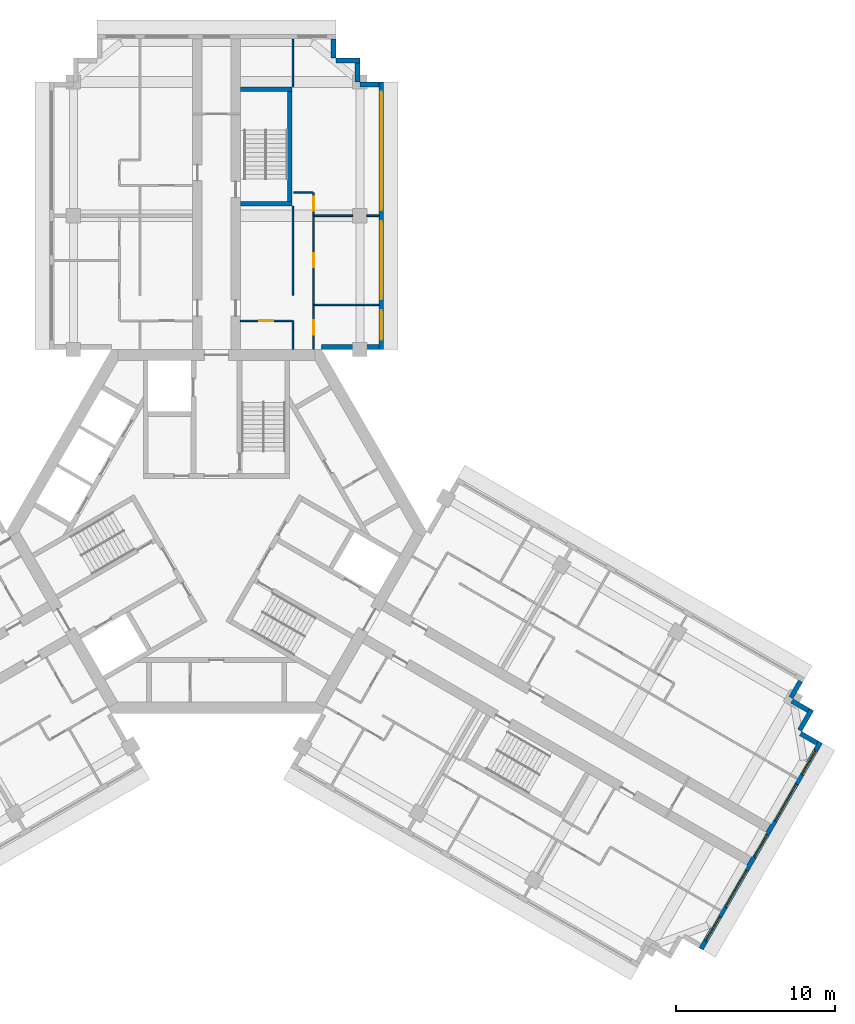
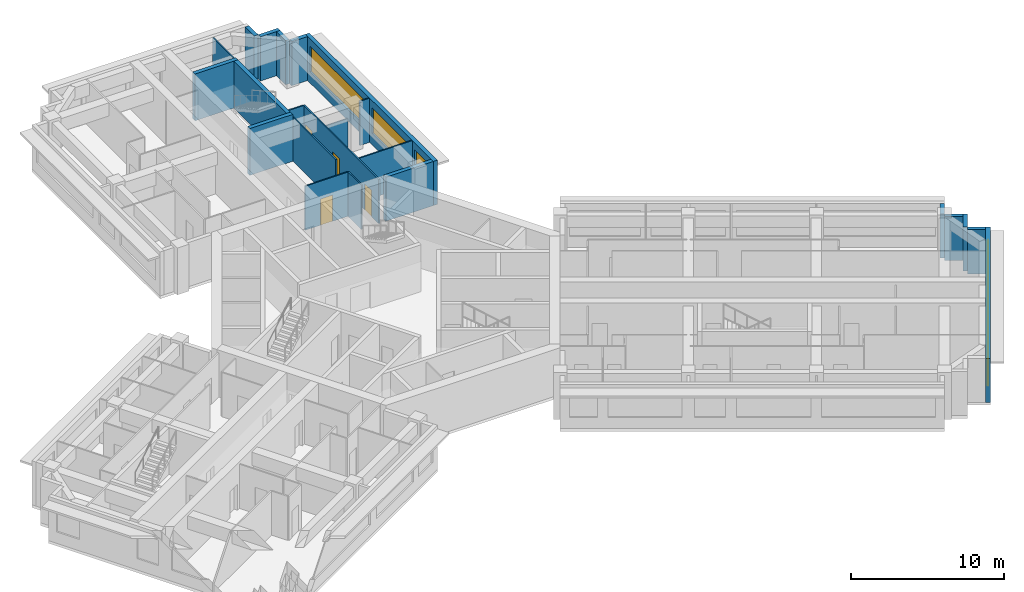
# One storey, part 8 of 10: 23 walls, 8 windows, 4 doors, 12 openings.
"""IFC4 building model written with IfcOpenShell, lengths in metres."""

from ifc_helpers import new_model, si_unit, direction, frame, frame_2d, origin, place, context, subcontext, project, spatial, rectangle, extrude, material, layer, layer_set, type_object, element, fill, save


model = new_model("IFC4")

# Units and contexts
model_context = context("Model", 3, precision=1e-05, world=origin(), true_north=direction((0.0, 1.0)))
body_context = subcontext(model_context, "Body", "Model", "MODEL_VIEW")
ifc_project = project(units=[si_unit("LENGTHUNIT", "METRE"), si_unit("AREAUNIT", "SQUARE_METRE"), si_unit("VOLUMEUNIT", "CUBIC_METRE"), si_unit("PLANEANGLEUNIT", "RADIAN"), si_unit("MASSUNIT", "GRAM", prefix="KILO")], contexts=[model_context])

# Site, building, storey
site_placement = place(None, origin())
site = spatial("IfcSite", under=ifc_project, at=site_placement, CompositionType="ELEMENT")
building_placement = place(site_placement, origin())
building = spatial("IfcBuilding", under=site, at=building_placement, Name="Impinga Residences", CompositionType="ELEMENT")
storey_placement = place(building_placement, frame((0.0, 0.0, 222.25)))
storey = spatial("IfcBuildingStorey", under=building, at=storey_placement, Name="L55", CompositionType="ELEMENT", Elevation=222.25)

# Walls
ifc_material_1 = material(Name="Terracotta rainscreen on blockwork", Category="masonry")
ifc_layer_1 = layer(ifc_material_1, 0.300048828125)
ifc_layer_set_1 = layer_set([ifc_layer_1], Name="EW1 external wall, terracotta rainscreen on blockwork 300")
wall_type_1 = type_object("IfcWallType", Name="EW1 external wall, terracotta rainscreen on blockwork 300", PredefinedType="SOLIDWALL", material=ifc_layer_set_1)
wall_1_placement = place(storey_placement, frame((36.69384765625, -9.4072265625, 0.0), z_axis=(0.0, 0.0, 1.0), x_axis=(-0.499880961361, -0.866094119867, 0.0)))
element("IfcWall", 1, at=wall_1_placement, inside=storey, type_object=wall_type_1, Name="External wall EW1 L55", PredefinedType="SOLIDWALL", context=body_context, shape_type="SweptSolid", body=[
    extrude(rectangle(XDim=1.199951171875, YDim=0.300048828125, at=frame_2d((0.60009765625, 0.0))), origin(), (0.0, 0.0, 1.0), 3.530029296875),
])
wall_2_placement = place(storey_placement, frame((36.153076171875, -10.654052734375, 0.0), z_axis=(0.0, 0.0, 1.0), x_axis=(0.866059708757, -0.499940577336, 0.0)))
element("IfcWall", 2, at=wall_2_placement, inside=storey, type_object=wall_type_1, Name="External wall EW1 L55", PredefinedType="SOLIDWALL", context=body_context, shape_type="SweptSolid", body=[
    extrude(rectangle(XDim=1.195068359375, YDim=0.300048828125, at=frame_2d((0.59765625, 0.0))), origin(), (0.0, 0.0, 1.0), 3.530029296875),
])
wall_3_placement = place(storey_placement, frame((37.39306640625, -11.196533203125, 0.0), z_axis=(0.0, 0.0, 1.0), x_axis=(-0.499990139034, -0.866031096941, 0.0)))
element("IfcWall", 3, at=wall_3_placement, inside=storey, type_object=wall_type_1, Name="External wall EW1 L55", PredefinedType="SOLIDWALL", context=body_context, shape_type="SweptSolid", body=[
    extrude(rectangle(XDim=1.5, YDim=0.300048828125, at=frame_2d((0.75, 0.0))), origin(), (0.0, 0.0, 1.0), 3.530029296875),
])
wall_4_placement = place(storey_placement, frame((36.7021484375, -12.702880859375, 0.0), z_axis=(0.0, 0.0, 1.0), x_axis=(0.865971243484, -0.500093796661, 0.0)))
element("IfcWall", 4, at=wall_4_placement, inside=storey, type_object=wall_type_1, Name="External wall EW1 L55", PredefinedType="SOLIDWALL", context=body_context, shape_type="SweptSolid", body=[
    extrude(rectangle(XDim=1.195068359375, YDim=0.300048828125, at=frame_2d((0.59765625, 0.0))), origin(), (0.0, 0.0, 1.0), 3.530029296875),
])

# Wall, openings, windows
wall_5_placement = place(storey_placement, frame((37.94189453125, -13.24560546875, 0.0), z_axis=(0.0, 0.0, 1.0), x_axis=(-0.500004234368, -0.866022959057, 0.0)))
wall_5 = element("IfcWall", 5, at=wall_5_placement, inside=storey, type_object=wall_type_1, Name="External wall EW1 L55", PredefinedType="SOLIDWALL", context=body_context, shape_type="SweptSolid", body=[
    extrude(rectangle(XDim=14.999755859375, YDim=0.300048828125, at=frame_2d((7.5, 0.0))), origin(), (0.0, 0.0, 1.0), 3.530029296875),
])
opening_1_placement = place(wall_5_placement, frame((0.60009765625, 0.0, 0.89990234375)))
opening_1 = element("IfcOpeningElement", 6, at=opening_1_placement, cuts=wall_5, Name="Opening W1", PredefinedType="OPENING", context=body_context, shape_type="SweptSolid", body=[
    extrude(rectangle(XDim=1.75, YDim=2.050048828125, at=frame_2d((0.875, 1.02490234375))), frame((0.0, 0.159912109375, 0.0), z_axis=(0.0, -1.0, 0.0), x_axis=(1.0, 0.0, 0.0)), (0.0, 0.0, 1.0), 0.320068359375),
])
opening_2_placement = place(wall_5_placement, frame((3.050048828125, 0.0, 0.89990234375)))
opening_2 = element("IfcOpeningElement", 7, at=opening_2_placement, cuts=wall_5, Name="Opening W18", PredefinedType="OPENING", context=body_context, shape_type="SweptSolid", body=[
    extrude(rectangle(XDim=2.64990234375, YDim=2.050048828125, at=frame_2d((1.324951171875, 1.02490234375))), frame((0.0, 0.159912109375, 0.0), z_axis=(0.0, -1.0, 0.0), x_axis=(1.0, 0.0, 0.0)), (0.0, 0.0, 1.0), 0.320068359375),
])
opening_3_placement = place(wall_5_placement, frame((6.699951171875, 0.0, 0.89990234375)))
opening_3 = element("IfcOpeningElement", 8, at=opening_3_placement, cuts=wall_5, Name="Opening W19", PredefinedType="OPENING", context=body_context, shape_type="SweptSolid", body=[
    extrude(rectangle(XDim=1.60009765625, YDim=2.050048828125, at=frame_2d((0.800048828125, 1.02490234375))), frame((0.0, 0.159912109375, 0.0), z_axis=(0.0, -1.0, 0.0), x_axis=(1.0, 0.0, 0.0)), (0.0, 0.0, 1.0), 0.320068359375),
])
opening_4_placement = place(wall_5_placement, frame((9.300048828125, 0.0, 0.89990234375)))
opening_4 = element("IfcOpeningElement", 9, at=opening_4_placement, cuts=wall_5, Name="Opening W18", PredefinedType="OPENING", context=body_context, shape_type="SweptSolid", body=[
    extrude(rectangle(XDim=2.64990234375, YDim=2.050048828125, at=frame_2d((1.324951171875, 1.02490234375))), frame((0.0, 0.159912109375, 0.0), z_axis=(0.0, -1.0, 0.0), x_axis=(1.0, 0.0, 0.0)), (0.0, 0.0, 1.0), 0.320068359375),
])
opening_5_placement = place(wall_5_placement, frame((12.64990234375, 0.0, 0.89990234375)))
opening_5 = element("IfcOpeningElement", 10, at=opening_5_placement, cuts=wall_5, Name="Opening W1", PredefinedType="OPENING", context=body_context, shape_type="SweptSolid", body=[
    extrude(rectangle(XDim=1.75, YDim=2.050048828125, at=frame_2d((0.875, 1.02490234375))), frame((0.0, 0.159912109375, 0.0), z_axis=(0.0, -1.0, 0.0), x_axis=(1.0, 0.0, 0.0)), (0.0, 0.0, 1.0), 0.320068359375),
])
ifc_material_2 = material(Name="Aluminium window, clear double glazing", Category="aluminium")
window_type_1 = type_object("IfcWindowType", Name="W1 ribbon window 1750x2050", PartitioningType="SINGLE_PANEL", PredefinedType="WINDOW", material=ifc_material_2)
window_1_placement = place(opening_1_placement, origin())
window_1 = element("IfcWindow", 11, at=window_1_placement, inside=storey, type_object=window_type_1, Name="Window L55", OverallHeight=2.050048828125, OverallWidth=1.75, PartitioningType="SINGLE_PANEL", PredefinedType="WINDOW", context=body_context, shape_type="SweptSolid", body=[
    extrude(rectangle(XDim=1.75, YDim=2.050048828125, at=frame_2d((0.875, 1.02490234375))), frame((0.0, 0.030029296875, 0.0), z_axis=(0.0, -1.0, 0.0), x_axis=(1.0, 0.0, 0.0)), (0.0, 0.0, 1.0), 0.06005859375),
])
fill(opening_1, window_1)
window_2_placement = place(opening_5_placement, origin())
window_2 = element("IfcWindow", 12, at=window_2_placement, inside=storey, type_object=window_type_1, Name="Window L55", OverallHeight=2.050048828125, OverallWidth=1.75, PartitioningType="SINGLE_PANEL", PredefinedType="WINDOW", context=body_context, shape_type="SweptSolid", body=[
    extrude(rectangle(XDim=1.75, YDim=2.050048828125, at=frame_2d((0.875, 1.02490234375))), frame((0.0, 0.030029296875, 0.0), z_axis=(0.0, -1.0, 0.0), x_axis=(1.0, 0.0, 0.0)), (0.0, 0.0, 1.0), 0.06005859375),
])
fill(opening_5, window_2)
window_type_2 = type_object("IfcWindowType", Name="W18 ribbon window 2650x2050", PartitioningType="SINGLE_PANEL", PredefinedType="WINDOW", material=ifc_material_2)
window_3_placement = place(opening_2_placement, origin())
window_3 = element("IfcWindow", 13, at=window_3_placement, inside=storey, type_object=window_type_2, Name="Window L55", OverallHeight=2.050048828125, OverallWidth=2.64990234375, PartitioningType="SINGLE_PANEL", PredefinedType="WINDOW", context=body_context, shape_type="SweptSolid", body=[
    extrude(rectangle(XDim=2.64990234375, YDim=2.050048828125, at=frame_2d((1.324951171875, 1.02490234375))), frame((0.0, 0.030029296875, 0.0), z_axis=(0.0, -1.0, 0.0), x_axis=(1.0, 0.0, 0.0)), (0.0, 0.0, 1.0), 0.06005859375),
])
fill(opening_2, window_3)
window_4_placement = place(opening_4_placement, origin())
window_4 = element("IfcWindow", 14, at=window_4_placement, inside=storey, type_object=window_type_2, Name="Window L55", OverallHeight=2.050048828125, OverallWidth=2.64990234375, PartitioningType="SINGLE_PANEL", PredefinedType="WINDOW", context=body_context, shape_type="SweptSolid", body=[
    extrude(rectangle(XDim=2.64990234375, YDim=2.050048828125, at=frame_2d((1.324951171875, 1.02490234375))), frame((0.0, 0.030029296875, 0.0), z_axis=(0.0, -1.0, 0.0), x_axis=(1.0, 0.0, 0.0)), (0.0, 0.0, 1.0), 0.06005859375),
])
fill(opening_4, window_4)
window_type_3 = type_object("IfcWindowType", Name="W19 ribbon window 1600x2050", PartitioningType="SINGLE_PANEL", PredefinedType="WINDOW", material=ifc_material_2)
window_5_placement = place(opening_3_placement, origin())
window_5 = element("IfcWindow", 15, at=window_5_placement, inside=storey, type_object=window_type_3, Name="Window L55", OverallHeight=2.050048828125, OverallWidth=1.60009765625, PartitioningType="SINGLE_PANEL", PredefinedType="WINDOW", context=body_context, shape_type="SweptSolid", body=[
    extrude(rectangle(XDim=1.60009765625, YDim=2.050048828125, at=frame_2d((0.800048828125, 1.02490234375))), frame((0.0, 0.030029296875, 0.0), z_axis=(0.0, -1.0, 0.0), x_axis=(1.0, 0.0, 0.0)), (0.0, 0.0, 1.0), 0.06005859375),
])
fill(opening_3, window_5)

# Walls
wall_6_placement = place(storey_placement, frame((7.35009765625, 30.931640625, 0.0), z_axis=(0.0, 0.0, 1.0), x_axis=(0.0, -1.0, 0.0)))
element("IfcWall", 16, at=wall_6_placement, inside=storey, type_object=wall_type_1, Name="External wall EW1 L55", PredefinedType="SOLIDWALL", context=body_context, shape_type="SweptSolid", body=[
    extrude(rectangle(XDim=1.195068359375, YDim=0.300048828125, at=frame_2d((0.59765625, 0.0))), origin(), (0.0, 0.0, 1.0), 3.530029296875),
])
wall_7_placement = place(storey_placement, frame((7.5, 29.58154296875, 0.0), z_axis=(0.0, 0.0, 1.0), x_axis=(1.0, 0.0, 0.0)))
element("IfcWall", 17, at=wall_7_placement, inside=storey, type_object=wall_type_1, Name="External wall EW1 L55", PredefinedType="SOLIDWALL", context=body_context, shape_type="SweptSolid", body=[
    extrude(rectangle(XDim=1.5, YDim=0.300048828125, at=frame_2d((0.75, 0.0))), origin(), (0.0, 0.0, 1.0), 3.530029296875),
])
wall_8_placement = place(storey_placement, frame((8.85009765625, 29.431640625, 0.0), z_axis=(0.0, 0.0, 1.0), x_axis=(0.0, -1.0, 0.0)))
element("IfcWall", 18, at=wall_8_placement, inside=storey, type_object=wall_type_1, Name="External wall EW1 L55", PredefinedType="SOLIDWALL", context=body_context, shape_type="SweptSolid", body=[
    extrude(rectangle(XDim=1.2001953125, YDim=0.300048828125, at=frame_2d((0.60009765625, 0.0))), origin(), (0.0, 0.0, 1.0), 3.530029296875),
])
wall_9_placement = place(storey_placement, frame((9.0048828125, 28.08154296875, 0.0), z_axis=(0.0, 0.0, 1.0), x_axis=(1.0, 0.0, 0.0)))
element("IfcWall", 19, at=wall_9_placement, inside=storey, type_object=wall_type_1, Name="External wall EW1 L55", PredefinedType="SOLIDWALL", context=body_context, shape_type="SweptSolid", body=[
    extrude(rectangle(XDim=1.195068359375, YDim=0.300048828125, at=frame_2d((0.59765625, 0.0))), origin(), (0.0, 0.0, 1.0), 3.530029296875),
])

# Wall, openings, windows
wall_10_placement = place(storey_placement, frame((10.35009765625, 28.2314453125, 0.0), z_axis=(0.0, 0.0, 1.0), x_axis=(0.0, -1.0, 0.0)))
wall_10 = element("IfcWall", 20, at=wall_10_placement, inside=storey, type_object=wall_type_1, Name="External wall EW1 L55", PredefinedType="SOLIDWALL", context=body_context, shape_type="SweptSolid", body=[
    extrude(rectangle(XDim=16.7998046875, YDim=0.300048828125, at=frame_2d((8.39990234375, 0.0))), origin(), (0.0, 0.0, 1.0), 3.530029296875),
])
opening_6_placement = place(wall_10_placement, frame((0.60009765625, 0.0, 0.89990234375)))
opening_6 = element("IfcOpeningElement", 21, at=opening_6_placement, cuts=wall_10, Name="Opening W7", PredefinedType="OPENING", context=body_context, shape_type="SweptSolid", body=[
    extrude(rectangle(XDim=7.449951171875, YDim=2.050048828125, at=frame_2d((3.72509765625, 1.02490234375))), frame((0.0, 0.159912109375, 0.0), z_axis=(0.0, -1.0, 0.0), x_axis=(1.0, 0.0, 0.0)), (0.0, 0.0, 1.0), 0.320068359375),
])
opening_7_placement = place(wall_10_placement, frame((8.75, 0.0, 0.89990234375)))
opening_7 = element("IfcOpeningElement", 22, at=opening_7_placement, cuts=wall_10, Name="Opening W16", PredefinedType="OPENING", context=body_context, shape_type="SweptSolid", body=[
    extrude(rectangle(XDim=4.89990234375, YDim=2.050048828125, at=frame_2d((2.449951171875, 1.02490234375))), frame((0.0, 0.159912109375, 0.0), z_axis=(0.0, -1.0, 0.0), x_axis=(1.0, 0.0, 0.0)), (0.0, 0.0, 1.0), 0.320068359375),
])
opening_8_placement = place(wall_10_placement, frame((14.35009765625, 0.0, 0.89990234375)))
opening_8 = element("IfcOpeningElement", 23, at=opening_8_placement, cuts=wall_10, Name="Opening W15", PredefinedType="OPENING", context=body_context, shape_type="SweptSolid", body=[
    extrude(rectangle(XDim=1.85009765625, YDim=2.050048828125, at=frame_2d((0.925048828125, 1.02490234375))), frame((0.0, 0.159912109375, 0.0), z_axis=(0.0, -1.0, 0.0), x_axis=(1.0, 0.0, 0.0)), (0.0, 0.0, 1.0), 0.320068359375),
])
window_type_4 = type_object("IfcWindowType", Name="W15 ribbon window 1850x2050", PartitioningType="SINGLE_PANEL", PredefinedType="WINDOW", material=ifc_material_2)
window_6_placement = place(opening_8_placement, origin())
window_6 = element("IfcWindow", 24, at=window_6_placement, inside=storey, type_object=window_type_4, Name="Window L55", OverallHeight=2.050048828125, OverallWidth=1.85009765625, PartitioningType="SINGLE_PANEL", PredefinedType="WINDOW", context=body_context, shape_type="SweptSolid", body=[
    extrude(rectangle(XDim=1.85009765625, YDim=2.050048828125, at=frame_2d((0.925048828125, 1.02490234375))), frame((0.0, 0.030029296875, 0.0), z_axis=(0.0, -1.0, 0.0), x_axis=(1.0, 0.0, 0.0)), (0.0, 0.0, 1.0), 0.06005859375),
])
fill(opening_8, window_6)
window_type_5 = type_object("IfcWindowType", Name="W16 ribbon window 4900x2050", PartitioningType="SINGLE_PANEL", PredefinedType="WINDOW", material=ifc_material_2)
window_7_placement = place(opening_7_placement, origin())
window_7 = element("IfcWindow", 25, at=window_7_placement, inside=storey, type_object=window_type_5, Name="Window L55", OverallHeight=2.050048828125, OverallWidth=4.89990234375, PartitioningType="SINGLE_PANEL", PredefinedType="WINDOW", context=body_context, shape_type="SweptSolid", body=[
    extrude(rectangle(XDim=4.89990234375, YDim=2.050048828125, at=frame_2d((2.449951171875, 1.02490234375))), frame((0.0, 0.030029296875, 0.0), z_axis=(0.0, -1.0, 0.0), x_axis=(1.0, 0.0, 0.0)), (0.0, 0.0, 1.0), 0.06005859375),
])
fill(opening_7, window_7)
window_type_6 = type_object("IfcWindowType", Name="W7 ribbon window 7450x2050", PartitioningType="SINGLE_PANEL", PredefinedType="WINDOW", material=ifc_material_2)
window_8_placement = place(opening_6_placement, origin())
window_8 = element("IfcWindow", 26, at=window_8_placement, inside=storey, type_object=window_type_6, Name="Window L55", OverallHeight=2.050048828125, OverallWidth=7.449951171875, PartitioningType="SINGLE_PANEL", PredefinedType="WINDOW", context=body_context, shape_type="SweptSolid", body=[
    extrude(rectangle(XDim=7.449951171875, YDim=2.050048828125, at=frame_2d((3.72509765625, 1.02490234375))), frame((0.0, 0.030029296875, 0.0), z_axis=(0.0, -1.0, 0.0), x_axis=(1.0, 0.0, 0.0)), (0.0, 0.0, 1.0), 0.06005859375),
])
fill(opening_6, window_8)

# Walls
wall_11_placement = place(storey_placement, frame((10.199951171875, 11.58154296875, 0.0), z_axis=(0.0, 0.0, 1.0), x_axis=(-1.0, 0.0, 0.0)))
element("IfcWall", 27, at=wall_11_placement, inside=storey, type_object=wall_type_1, Name="External wall EW1 L55", PredefinedType="SOLIDWALL", context=body_context, shape_type="SweptSolid", body=[
    extrude(rectangle(XDim=3.599853515625, YDim=0.300048828125, at=frame_2d((1.7998046875, 0.0))), origin(), (0.0, 0.0, 1.0), 3.530029296875),
])
ifc_material_3 = material(Name="Gypsum board on steel studs", Category="steel")
ifc_layer_2 = layer(ifc_material_3, 0.10009765625)
ifc_layer_set_2 = layer_set([ifc_layer_2], Name="Gypsum board on steel studs")
wall_type_2 = type_object("IfcWallType", Name="IP1 partition 100", PredefinedType="PARTITIONING", material=ifc_layer_set_2)
wall_12_placement = place(storey_placement, frame((4.800048828125, 11.431640625, 0.0), z_axis=(0.0, 0.0, 1.0), x_axis=(0.0, 1.0, 0.0)))
element("IfcWall", 28, at=wall_12_placement, inside=storey, type_object=wall_type_2, Name="Partition L55-NF1:DIV0", PredefinedType="PARTITIONING", context=body_context, shape_type="SweptSolid", body=[
    extrude(rectangle(XDim=1.7998046875, YDim=0.10009765625, at=frame_2d((0.89990234375, 0.0))), origin(), (0.0, 0.0, 1.0), 3.530029296875),
])
wall_13_placement = place(storey_placement, frame((4.800048828125, 14.83154296875, 0.0), z_axis=(0.0, 0.0, 1.0), x_axis=(0.0, 1.0, 0.0)))
element("IfcWall", 29, at=wall_13_placement, inside=storey, type_object=wall_type_2, Name="Partition L55-NF1:DIV1", PredefinedType="PARTITIONING", context=body_context, shape_type="SweptSolid", body=[
    extrude(rectangle(XDim=5.60009765625, YDim=0.10009765625, at=frame_2d((2.800048828125, 0.0))), origin(), (0.0, 0.0, 1.0), 3.530029296875),
])
wall_14_placement = place(storey_placement, frame((4.800048828125, 27.931640625, 0.0), z_axis=(0.0, 0.0, 1.0), x_axis=(0.0, 1.0, 0.0)))
element("IfcWall", 30, at=wall_14_placement, inside=storey, type_object=wall_type_2, Name="Partition L55-NF1:DIV2", PredefinedType="PARTITIONING", context=body_context, shape_type="SweptSolid", body=[
    extrude(rectangle(XDim=3.0, YDim=0.10009765625, at=frame_2d((1.5, 0.0))), origin(), (0.0, 0.0, 1.0), 3.530029296875),
])

# Wall, openings, doors
wall_15_placement = place(storey_placement, frame((6.10009765625, 11.431640625, 0.0), z_axis=(0.0, 0.0, 1.0), x_axis=(0.0, 1.0, 0.0)))
wall_15 = element("IfcWall", 31, at=wall_15_placement, inside=storey, type_object=wall_type_2, Name="Partition L55-NF1:STRIP", PredefinedType="PARTITIONING", context=body_context, shape_type="SweptSolid", body=[
    extrude(rectangle(XDim=9.849853515625, YDim=0.10009765625, at=frame_2d((4.9248046875, 0.0))), origin(), (0.0, 0.0, 1.0), 3.530029296875),
])
opening_9_placement = place(wall_15_placement, frame((0.925048828125, 0.0, 0.0)))
opening_9 = element("IfcOpeningElement", 32, at=opening_9_placement, cuts=wall_15, Name="Opening D2", PredefinedType="OPENING", context=body_context, shape_type="SweptSolid", body=[
    extrude(rectangle(XDim=0.89990234375, YDim=2.10009765625, at=frame_2d((0.449951171875, 1.050048828125))), frame((0.0, 0.06005859375, 0.0), z_axis=(0.0, -1.0, 0.0), x_axis=(1.0, 0.0, 0.0)), (0.0, 0.0, 1.0), 0.1201171875),
])
opening_10_placement = place(wall_15_placement, frame((5.14990234375, 0.0, 0.0)))
opening_10 = element("IfcOpeningElement", 33, at=opening_10_placement, cuts=wall_15, Name="Opening D2", PredefinedType="OPENING", context=body_context, shape_type="SweptSolid", body=[
    extrude(rectangle(XDim=0.89990234375, YDim=2.10009765625, at=frame_2d((0.449951171875, 1.050048828125))), frame((0.0, 0.06005859375, 0.0), z_axis=(0.0, -1.0, 0.0), x_axis=(1.0, 0.0, 0.0)), (0.0, 0.0, 1.0), 0.1201171875),
])
opening_11_placement = place(wall_15_placement, frame((8.699951171875, 0.0, 0.0)))
opening_11 = element("IfcOpeningElement", 34, at=opening_11_placement, cuts=wall_15, Name="Opening D2", PredefinedType="OPENING", context=body_context, shape_type="SweptSolid", body=[
    extrude(rectangle(XDim=0.89990234375, YDim=2.10009765625, at=frame_2d((0.449951171875, 1.050048828125))), frame((0.0, 0.06005859375, 0.0), z_axis=(0.0, -1.0, 0.0), x_axis=(1.0, 0.0, 0.0)), (0.0, 0.0, 1.0), 0.1201171875),
])
ifc_material_4 = material(Name="Timber door set", Category="wood")
door_type = type_object("IfcDoorType", Name="D2 internal door 900x2100", OperationType="SINGLE_SWING_LEFT", PredefinedType="DOOR", material=ifc_material_4)
door_1_placement = place(opening_9_placement, origin())
door_1 = element("IfcDoor", 35, at=door_1_placement, inside=storey, type_object=door_type, Name="Apartment L55-NF1 room door", OperationType="SINGLE_SWING_LEFT", OverallHeight=2.10009765625, OverallWidth=0.89990234375, PredefinedType="DOOR", context=body_context, shape_type="SweptSolid", body=[
    extrude(rectangle(XDim=0.89990234375, YDim=2.10009765625, at=frame_2d((0.449951171875, 1.050048828125))), frame((0.0, 0.02490234375, 0.0), z_axis=(0.0, -1.0, 0.0), x_axis=(1.0, 0.0, 0.0)), (0.0, 0.0, 1.0), 0.050048828125),
])
fill(opening_9, door_1)
door_2_placement = place(opening_10_placement, origin())
door_2 = element("IfcDoor", 36, at=door_2_placement, inside=storey, type_object=door_type, Name="Apartment L55-NF1 room door", OperationType="SINGLE_SWING_RIGHT", OverallHeight=2.10009765625, OverallWidth=0.89990234375, PredefinedType="DOOR", context=body_context, shape_type="SweptSolid", body=[
    extrude(rectangle(XDim=0.89990234375, YDim=2.10009765625, at=frame_2d((0.449951171875, 1.050048828125))), frame((0.0, 0.02490234375, 0.0), z_axis=(0.0, -1.0, 0.0), x_axis=(1.0, 0.0, 0.0)), (0.0, 0.0, 1.0), 0.050048828125),
])
fill(opening_10, door_2)
door_3_placement = place(opening_11_placement, origin())
door_3 = element("IfcDoor", 37, at=door_3_placement, inside=storey, type_object=door_type, Name="Apartment L55-NF1 room door", OperationType="SINGLE_SWING_RIGHT", OverallHeight=2.10009765625, OverallWidth=0.89990234375, PredefinedType="DOOR", context=body_context, shape_type="SweptSolid", body=[
    extrude(rectangle(XDim=0.89990234375, YDim=2.10009765625, at=frame_2d((0.449951171875, 1.050048828125))), frame((0.0, 0.02490234375, 0.0), z_axis=(0.0, -1.0, 0.0), x_axis=(1.0, 0.0, 0.0)), (0.0, 0.0, 1.0), 0.050048828125),
])
fill(opening_11, door_3)

# Wall
wall_16_placement = place(storey_placement, frame((4.85009765625, 21.281494140625, 0.0), z_axis=(0.0, 0.0, 1.0), x_axis=(1.0, 0.0, 0.0)))
element("IfcWall", 38, at=wall_16_placement, inside=storey, type_object=wall_type_2, Name="Partition L55-NF1:SE1", PredefinedType="PARTITIONING", context=body_context, shape_type="SweptSolid", body=[
    extrude(rectangle(XDim=1.199951171875, YDim=0.10009765625, at=frame_2d((0.60009765625, 0.0))), origin(), (0.0, 0.0, 1.0), 3.530029296875),
])

# Wall, opening, door
wall_17_placement = place(storey_placement, frame((1.5, 13.2314453125, 0.0), z_axis=(0.0, 0.0, 1.0), x_axis=(1.0, 0.0, 0.0)))
wall_17 = element("IfcWall", 39, at=wall_17_placement, inside=storey, type_object=wall_type_2, Name="Partition L55-NF1:IB1", PredefinedType="PARTITIONING", context=body_context, shape_type="SweptSolid", body=[
    extrude(rectangle(XDim=3.25, YDim=0.10009765625, at=frame_2d((1.625, 0.0))), origin(), (0.0, 0.0, 1.0), 3.530029296875),
])
opening_12_placement = place(wall_17_placement, frame((1.175048828125, 0.0, 0.0)))
opening_12 = element("IfcOpeningElement", 40, at=opening_12_placement, cuts=wall_17, Name="Opening D2", PredefinedType="OPENING", context=body_context, shape_type="SweptSolid", body=[
    extrude(rectangle(XDim=0.89990234375, YDim=2.10009765625, at=frame_2d((0.449951171875, 1.050048828125))), frame((0.0, 0.06005859375, 0.0), z_axis=(0.0, -1.0, 0.0), x_axis=(1.0, 0.0, 0.0)), (0.0, 0.0, 1.0), 0.1201171875),
])
door_4_placement = place(opening_12_placement, origin())
door_4 = element("IfcDoor", 41, at=door_4_placement, inside=storey, type_object=door_type, Name="Apartment L55-NF1 bathroom door", OperationType="SINGLE_SWING_LEFT", OverallHeight=2.10009765625, OverallWidth=0.89990234375, PredefinedType="DOOR", context=body_context, shape_type="SweptSolid", body=[
    extrude(rectangle(XDim=0.89990234375, YDim=2.10009765625, at=frame_2d((0.449951171875, 1.050048828125))), frame((0.0, 0.02490234375, 0.0), z_axis=(0.0, -1.0, 0.0), x_axis=(1.0, 0.0, 0.0)), (0.0, 0.0, 1.0), 0.050048828125),
])
fill(opening_12, door_4)

# Walls
wall_18_placement = place(storey_placement, frame((6.14990234375, 14.2314453125, 0.0), z_axis=(0.0, 0.0, 1.0), x_axis=(1.0, 0.0, 0.0)))
element("IfcWall", 42, at=wall_18_placement, inside=storey, type_object=wall_type_2, Name="Partition L55-NF1:OB1", PredefinedType="PARTITIONING", context=body_context, shape_type="SweptSolid", body=[
    extrude(rectangle(XDim=4.050048828125, YDim=0.10009765625, at=frame_2d((2.02490234375, 0.0))), origin(), (0.0, 0.0, 1.0), 3.530029296875),
])
wall_19_placement = place(storey_placement, frame((6.14990234375, 19.83154296875, 0.0), z_axis=(0.0, 0.0, 1.0), x_axis=(1.0, 0.0, 0.0)))
element("IfcWall", 43, at=wall_19_placement, inside=storey, type_object=wall_type_2, Name="Partition L55-NF1:OB2", PredefinedType="PARTITIONING", context=body_context, shape_type="SweptSolid", body=[
    extrude(rectangle(XDim=2.400146484375, YDim=0.10009765625, at=frame_2d((1.2001953125, 0.0))), origin(), (0.0, 0.0, 1.0), 2.47998046875),
])
wall_20_placement = place(storey_placement, frame((9.449951171875, 19.83154296875, 0.0), z_axis=(0.0, 0.0, 1.0), x_axis=(1.0, 0.0, 0.0)))
element("IfcWall", 44, at=wall_20_placement, inside=storey, type_object=wall_type_2, Name="Partition L55-NF1:OB2b", PredefinedType="PARTITIONING", context=body_context, shape_type="SweptSolid", body=[
    extrude(rectangle(XDim=0.75, YDim=0.10009765625, at=frame_2d((0.375, 0.0))), origin(), (0.0, 0.0, 1.0), 3.530029296875),
])
ifc_material_5 = material(Name="Concrete C60/75", Category="concrete")
ifc_layer_3 = layer(ifc_material_5, 0.300048828125)
ifc_layer_set_3 = layer_set([ifc_layer_3], Name="Concrete C60/75")
wall_type_3 = type_object("IfcWallType", Name="SE1 wing stair enclosure wall 300", PredefinedType="SOLIDWALL", material=ifc_layer_set_3)
for number, where, z_axis, x_axis, name in (
    (45, (1.5, 20.58154296875, 0.0), (0.0, 0.0, 1.0), (1.0, 0.0, 0.0), "Stair enclosure wall SE1 N END0 L55"),
    (46, (1.5, 27.781494140625, 0.0), (0.0, 0.0, 1.0), (1.0, 0.0, 0.0), "Stair enclosure wall SE1 N END1 L55"),
):
    element("IfcWall", number, at=place(storey_placement, frame(where, z_axis=z_axis, x_axis=x_axis)), inside=storey, type_object=wall_type_3, Name=name, PredefinedType="SOLIDWALL", context=body_context, shape_type="SweptSolid", body=[
        extrude(rectangle(XDim=3.25, YDim=0.300048828125, at=frame_2d((1.625, 0.0))), origin(), (0.0, 0.0, 1.0), 3.75),
    ])
wall_21_placement = place(storey_placement, frame((4.60009765625, 20.7314453125, 0.0), z_axis=(0.0, 0.0, 1.0), x_axis=(0.0, 1.0, 0.0)))
element("IfcWall", 47, at=wall_21_placement, inside=storey, type_object=wall_type_3, Name="Stair enclosure wall SE1 N OUT L55", PredefinedType="SOLIDWALL", context=body_context, shape_type="SweptSolid", body=[
    extrude(rectangle(XDim=6.900146484375, YDim=0.300048828125, at=frame_2d((3.4501953125, 0.0))), origin(), (0.0, 0.0, 1.0), 3.75),
])

save(model, "model.ifc")
